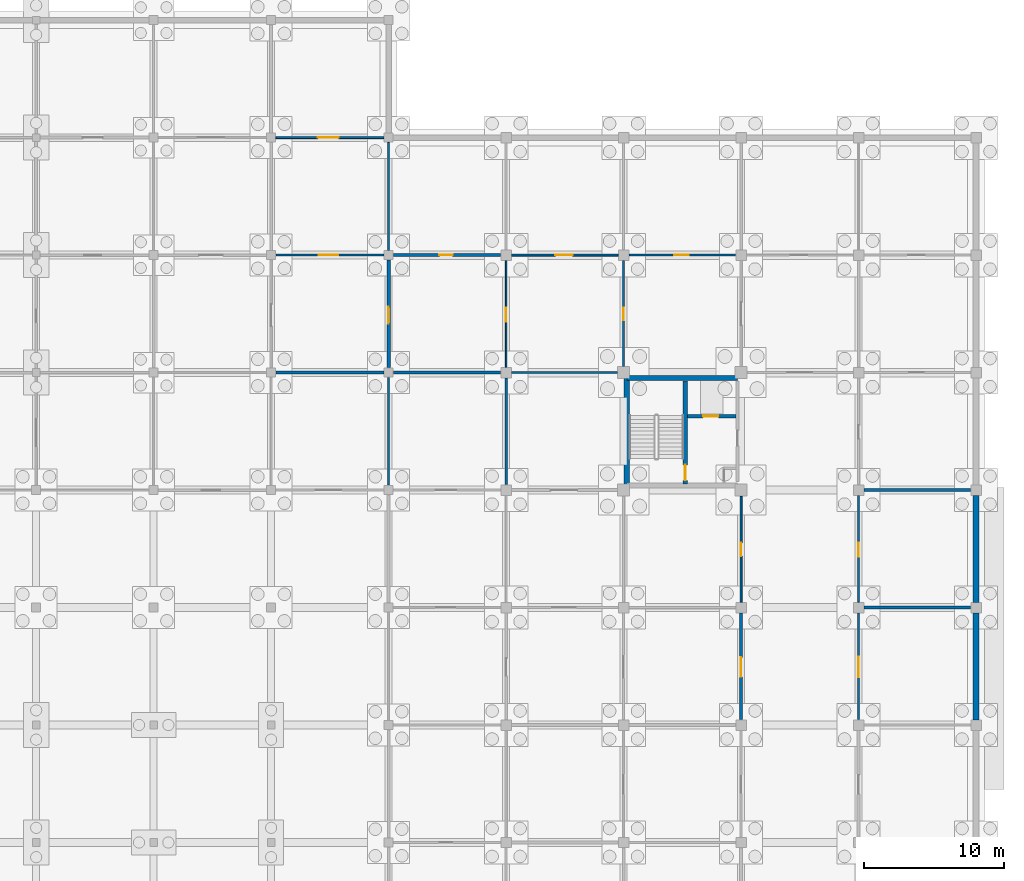
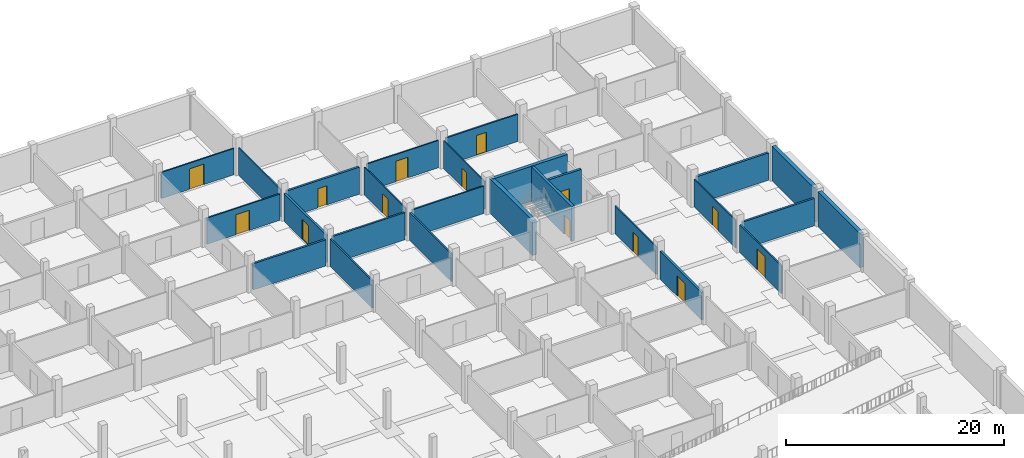
# One storey, part 36 of 43: 26 walls, 14 doors, 14 openings.
"""IFC4 building model written with IfcOpenShell, lengths in metres."""

from ifc_helpers import new_model, si_unit, direction, frame, frame_2d, origin, place, context, subcontext, project, spatial, rectangle, extrude, material, layer, layer_set, type_object, element, fill, save


model = new_model("IFC4")

# Units and contexts
model_context = context("Model", 3, precision=1e-05, world=origin(), true_north=direction((0.0, 1.0)))
body_context = subcontext(model_context, "Body", "Model", "MODEL_VIEW")
ifc_project = project(units=[si_unit("LENGTHUNIT", "METRE"), si_unit("AREAUNIT", "SQUARE_METRE"), si_unit("VOLUMEUNIT", "CUBIC_METRE"), si_unit("PLANEANGLEUNIT", "RADIAN"), si_unit("MASSUNIT", "GRAM", prefix="KILO")], contexts=[model_context])

# Site, building, storey
site_placement = place(None, origin())
site = spatial("IfcSite", under=ifc_project, at=site_placement, CompositionType="ELEMENT")
building_placement = place(site_placement, origin())
building = spatial("IfcBuilding", under=site, at=building_placement, Name="Varnapada Polytechnic", CompositionType="ELEMENT")
storey_placement = place(building_placement, frame((0.0, 0.0, -4.199951171875)))
storey = spatial("IfcBuildingStorey", under=building, at=storey_placement, Name="B1", CompositionType="ELEMENT", Elevation=-4.199951171875)

# Wall, opening, door
ifc_material_1 = material(Name="Autoclaved Aerated Concrete Block AAC-600", Category="concrete")
ifc_layer_1 = layer(ifc_material_1, 0.14990234375)
ifc_layer_set_1 = layer_set([ifc_layer_1], Name="Autoclaved Aerated Concrete Block AAC-600")
wall_type_1 = type_object("IfcWallType", Name="Interior Wall IW-02", PredefinedType="PARTITIONING", material=ifc_layer_set_1)
wall_1_placement = place(storey_placement, frame((126.344970703125, 109.199951171875, 0.0), z_axis=(0.0, 0.0, 1.0), x_axis=(1.0, 0.0, 0.0)))
wall_1 = element("IfcWall", 1, at=wall_1_placement, inside=storey, type_object=wall_type_1, Name="B1 interior partition IW-B1-15-12-H", PredefinedType="PARTITIONING", context=body_context, shape_type="SweptSolid", body=[
    extrude(rectangle(XDim=7.7099609375, YDim=0.14990234375, at=frame_2d((3.85498046875, 0.0))), origin(), (0.0, 0.0, 1.0), 2.929931640625),
])
opening_1_placement = place(wall_1_placement, frame((3.050048828125, 0.0, 0.0)))
opening_1 = element("IfcOpeningElement", 2, at=opening_1_placement, cuts=wall_1, Name="Opening D-752", PredefinedType="OPENING", context=body_context, shape_type="SweptSolid", body=[
    extrude(rectangle(XDim=1.39990234375, YDim=2.25, at=frame_2d((0.699951171875, 1.125))), frame((0.0, 0.0849609375, 0.0), z_axis=(0.0, -1.0, 0.0), x_axis=(1.0, 0.0, 0.0)), (0.0, 0.0, 1.0), 0.169921875),
])
ifc_material_2 = material(Name="Powder-Coated Aluminium 6063-T6", Category="aluminium")
door_type_1 = type_object("IfcDoorType", Name="Interior Door ID-06", OperationType="NOTDEFINED", PredefinedType="DOOR", material=ifc_material_2)
door_1_placement = place(opening_1_placement, frame((1.39990234375, 0.0, 0.0), z_axis=(0.0, 0.0, 1.0), x_axis=(-1.0, 0.0, 0.0)))
door_1 = element("IfcDoor", 3, at=door_1_placement, inside=storey, type_object=door_type_1, Name="B1 interior room door D-752", OperationType="SINGLE_SWING_LEFT", OverallHeight=2.25, OverallWidth=1.39990234375, PredefinedType="DOOR", context=body_context, shape_type="SweptSolid", body=[
    extrude(rectangle(XDim=1.39990234375, YDim=2.25, at=frame_2d((0.699951171875, 1.125))), frame((0.0, 0.02490234375, 0.0), z_axis=(0.0, -1.0, 0.0), x_axis=(1.0, 0.0, 0.0)), (0.0, 0.0, 1.0), 0.050048828125),
])
fill(opening_1, door_1)

# Wall
wall_2_placement = place(storey_placement, frame((143.195068359375, 100.800048828125, 0.0), z_axis=(0.0, 0.0, 1.0), x_axis=(1.0, 0.0, 0.0)))
element("IfcWall", 4, at=wall_2_placement, inside=storey, type_object=wall_type_1, Name="B1 interior partition IW-B1-17-11-H", PredefinedType="PARTITIONING", context=body_context, shape_type="SweptSolid", body=[
    extrude(rectangle(XDim=7.559814453125, YDim=0.14990234375, at=frame_2d((3.77978515625, 0.0))), origin(), (0.0, 0.0, 1.0), 3.050048828125),
])

# Wall, opening, door
wall_3_placement = place(storey_placement, frame((168.0, 75.9951171875, 0.0), z_axis=(0.0, 0.0, 1.0), x_axis=(0.0, 1.0, 0.0)))
wall_3 = element("IfcWall", 5, at=wall_3_placement, inside=storey, type_object=wall_type_1, Name="B1 interior partition IW-B1-19-09-V", PredefinedType="PARTITIONING", context=body_context, shape_type="SweptSolid", body=[
    extrude(rectangle(XDim=7.60986328125, YDim=0.14990234375, at=frame_2d((3.804931640625, 0.0))), origin(), (0.0, 0.0, 1.0), 3.099853515625),
])
opening_2_placement = place(wall_3_placement, frame((3.02490234375, 0.0, 0.0)))
opening_2 = element("IfcOpeningElement", 6, at=opening_2_placement, cuts=wall_3, Name="Opening D-798", PredefinedType="OPENING", context=body_context, shape_type="SweptSolid", body=[
    extrude(rectangle(XDim=1.449951171875, YDim=2.35009765625, at=frame_2d((0.72509765625, 1.175048828125))), frame((0.0, 0.0849609375, 0.0), z_axis=(0.0, -1.0, 0.0), x_axis=(1.0, 0.0, 0.0)), (0.0, 0.0, 1.0), 0.169921875),
])
ifc_material_3 = material(Name="Galvanized Steel Z275", Category="steel")
door_type_2 = type_object("IfcDoorType", Name="Interior Door ID-18", OperationType="NOTDEFINED", PredefinedType="DOOR", material=ifc_material_3)
door_2_placement = place(opening_2_placement, origin())
door_2 = element("IfcDoor", 7, at=door_2_placement, inside=storey, type_object=door_type_2, Name="B1 interior room door D-798", OperationType="SINGLE_SWING_LEFT", OverallHeight=2.35009765625, OverallWidth=1.449951171875, PredefinedType="DOOR", context=body_context, shape_type="SweptSolid", body=[
    extrude(rectangle(XDim=1.449951171875, YDim=2.35009765625, at=frame_2d((0.72509765625, 1.175048828125))), frame((0.0, 0.02490234375, 0.0), z_axis=(0.0, -1.0, 0.0), x_axis=(1.0, 0.0, 0.0)), (0.0, 0.0, 1.0), 0.050048828125),
])
fill(opening_2, door_2)

# Wall
ifc_material_4 = material(Name="Gypsum Plasterboard Acoustic Partition")
ifc_layer_2 = layer(ifc_material_4, 0.125)
ifc_layer_set_2 = layer_set([ifc_layer_2], Name="Gypsum Plasterboard Acoustic Partition")
wall_type_2 = type_object("IfcWallType", Name="Interior Wall IW-03", PredefinedType="PARTITIONING", material=ifc_layer_set_2)
wall_4_placement = place(storey_placement, frame((134.39990234375, 109.544921875, 0.0), z_axis=(0.0, 0.0, 1.0), x_axis=(0.0, 1.0, 0.0)))
element("IfcWall", 8, at=wall_4_placement, inside=storey, type_object=wall_type_2, Name="B1 interior partition IW-B1-15-13-V", PredefinedType="PARTITIONING", context=body_context, shape_type="SweptSolid", body=[
    extrude(rectangle(XDim=7.7099609375, YDim=0.125, at=frame_2d((3.85498046875, 0.0))), origin(), (0.0, 0.0, 1.0), 3.079833984375),
])

# Wall, opening, door
wall_5_placement = place(storey_placement, frame((151.199951171875, 101.2451171875, 0.0), z_axis=(0.0, 0.0, 1.0), x_axis=(0.0, 1.0, 0.0)))
wall_5 = element("IfcWall", 9, at=wall_5_placement, inside=storey, type_object=wall_type_2, Name="B1 interior partition IW-B1-17-12-V", PredefinedType="PARTITIONING", context=body_context, shape_type="SweptSolid", body=[
    extrude(rectangle(XDim=7.559814453125, YDim=0.125, at=frame_2d((3.77978515625, 0.0))), origin(), (0.0, 0.0, 1.0), 3.099853515625),
])
opening_3_placement = place(wall_5_placement, frame((3.300048828125, 0.0, 0.0)))
opening_3 = element("IfcOpeningElement", 10, at=opening_3_placement, cuts=wall_5, Name="Opening D-778", PredefinedType="OPENING", context=body_context, shape_type="SweptSolid", body=[
    extrude(rectangle(XDim=0.89990234375, YDim=2.10009765625, at=frame_2d((0.449951171875, 1.050048828125))), frame((0.0, 0.072509765625, 0.0), z_axis=(0.0, -1.0, 0.0), x_axis=(1.0, 0.0, 0.0)), (0.0, 0.0, 1.0), 0.14501953125),
])
ifc_material_5 = material(Name="Moisture-Resistant HPL Timber", Category="wood")
door_type_3 = type_object("IfcDoorType", Name="Interior Door ID-15", OperationType="NOTDEFINED", PredefinedType="DOOR", material=ifc_material_5)
door_3_placement = place(opening_3_placement, origin())
door_3 = element("IfcDoor", 11, at=door_3_placement, inside=storey, type_object=door_type_3, Name="B1 interior room door D-778", OperationType="SINGLE_SWING_LEFT", OverallHeight=2.10009765625, OverallWidth=0.89990234375, PredefinedType="DOOR", context=body_context, shape_type="SweptSolid", body=[
    extrude(rectangle(XDim=0.89990234375, YDim=2.10009765625, at=frame_2d((0.449951171875, 1.050048828125))), frame((0.0, 0.02490234375, 0.0), z_axis=(0.0, -1.0, 0.0), x_axis=(1.0, 0.0, 0.0)), (0.0, 0.0, 1.0), 0.050048828125),
])
fill(opening_3, door_3)

wall_6_placement = place(storey_placement, frame((168.0, 84.39501953125, 0.0), z_axis=(0.0, 0.0, 1.0), x_axis=(0.0, 1.0, 0.0)))
wall_6 = element("IfcWall", 12, at=wall_6_placement, inside=storey, type_object=wall_type_2, Name="B1 interior partition IW-B1-19-10-V", PredefinedType="PARTITIONING", context=body_context, shape_type="SweptSolid", body=[
    extrude(rectangle(XDim=7.60986328125, YDim=0.125, at=frame_2d((3.804931640625, 0.0))), origin(), (0.0, 0.0, 1.0), 3.099853515625),
])
opening_4_placement = place(wall_6_placement, frame((3.25, 0.0, 0.0)))
opening_4 = element("IfcOpeningElement", 13, at=opening_4_placement, cuts=wall_6, Name="Opening D-799", PredefinedType="OPENING", context=body_context, shape_type="SweptSolid", body=[
    extrude(rectangle(XDim=1.0, YDim=2.14990234375, at=frame_2d((0.5, 1.074951171875))), frame((0.0, 0.072509765625, 0.0), z_axis=(0.0, -1.0, 0.0), x_axis=(1.0, 0.0, 0.0)), (0.0, 0.0, 1.0), 0.14501953125),
])
ifc_material_6 = material(Name="Solid Teak Hardwood Timber", Category="wood")
door_type_4 = type_object("IfcDoorType", Name="Interior Door ID-02", OperationType="NOTDEFINED", PredefinedType="DOOR", material=ifc_material_6)
door_4_placement = place(opening_4_placement, origin())
door_4 = element("IfcDoor", 14, at=door_4_placement, inside=storey, type_object=door_type_4, Name="B1 interior room door D-799", OperationType="SINGLE_SWING_RIGHT", OverallHeight=2.14990234375, OverallWidth=1.0, PredefinedType="DOOR", context=body_context, shape_type="SweptSolid", body=[
    extrude(rectangle(XDim=1.0, YDim=2.14990234375, at=frame_2d((0.5, 1.074951171875))), frame((0.0, 0.02490234375, 0.0), z_axis=(0.0, -1.0, 0.0), x_axis=(1.0, 0.0, 0.0)), (0.0, 0.0, 1.0), 0.050048828125),
])
fill(opening_4, door_4)

ifc_material_7 = material(Name="Moisture-Resistant Cement Board Partition")
ifc_layer_3 = layer(ifc_material_7, 0.139892578125)
ifc_layer_set_3 = layer_set([ifc_layer_3], Name="Moisture-Resistant Cement Board Partition")
wall_type_3 = type_object("IfcWallType", Name="Interior Wall IW-04", PredefinedType="PARTITIONING", material=ifc_layer_set_3)
wall_7_placement = place(storey_placement, frame((126.344970703125, 117.60009765625, 0.0), z_axis=(0.0, 0.0, 1.0), x_axis=(1.0, 0.0, 0.0)))
wall_7 = element("IfcWall", 15, at=wall_7_placement, inside=storey, type_object=wall_type_3, Name="B1 interior partition IW-B1-15-13-H", PredefinedType="PARTITIONING", context=body_context, shape_type="SweptSolid", body=[
    extrude(rectangle(XDim=7.7099609375, YDim=0.139892578125, at=frame_2d((3.85498046875, 0.0))), origin(), (0.0, 0.0, 1.0), 2.929931640625),
])
opening_5_placement = place(wall_7_placement, frame((3.0, 0.0, 0.0)))
opening_5 = element("IfcOpeningElement", 16, at=opening_5_placement, cuts=wall_7, Name="Opening D-753", PredefinedType="OPENING", context=body_context, shape_type="SweptSolid", body=[
    extrude(rectangle(XDim=1.5, YDim=2.300048828125, at=frame_2d((0.75, 1.14990234375))), frame((0.0, 0.079833984375, 0.0), z_axis=(0.0, -1.0, 0.0), x_axis=(1.0, 0.0, 0.0)), (0.0, 0.0, 1.0), 0.159912109375),
])
door_type_5 = type_object("IfcDoorType", Name="Interior Door ID-07", OperationType="NOTDEFINED", PredefinedType="DOOR", material=ifc_material_3)
door_5_placement = place(opening_5_placement, origin())
door_5 = element("IfcDoor", 17, at=door_5_placement, inside=storey, type_object=door_type_5, Name="B1 interior room door D-753", OperationType="SINGLE_SWING_RIGHT", OverallHeight=2.300048828125, OverallWidth=1.5, PredefinedType="DOOR", context=body_context, shape_type="SweptSolid", body=[
    extrude(rectangle(XDim=1.5, YDim=2.300048828125, at=frame_2d((0.75, 1.14990234375))), frame((0.0, 0.02490234375, 0.0), z_axis=(0.0, -1.0, 0.0), x_axis=(1.0, 0.0, 0.0)), (0.0, 0.0, 1.0), 0.050048828125),
])
fill(opening_5, door_5)

wall_8_placement = place(storey_placement, frame((143.195068359375, 109.199951171875, 0.0), z_axis=(0.0, 0.0, 1.0), x_axis=(1.0, 0.0, 0.0)))
wall_8 = element("IfcWall", 18, at=wall_8_placement, inside=storey, type_object=wall_type_3, Name="B1 interior partition IW-B1-17-12-H", PredefinedType="PARTITIONING", context=body_context, shape_type="SweptSolid", body=[
    extrude(rectangle(XDim=7.60986328125, YDim=0.139892578125, at=frame_2d((3.804931640625, 0.0))), origin(), (0.0, 0.0, 1.0), 3.050048828125),
])
opening_6_placement = place(wall_8_placement, frame((3.125, 0.0, 0.0)))
opening_6 = element("IfcOpeningElement", 19, at=opening_6_placement, cuts=wall_8, Name="Opening D-779", PredefinedType="OPENING", context=body_context, shape_type="SweptSolid", body=[
    extrude(rectangle(XDim=1.25, YDim=2.300048828125, at=frame_2d((0.625, 1.14990234375))), frame((0.0, 0.079833984375, 0.0), z_axis=(0.0, -1.0, 0.0), x_axis=(1.0, 0.0, 0.0)), (0.0, 0.0, 1.0), 0.159912109375),
])
door_type_6 = type_object("IfcDoorType", Name="Interior Door ID-16", OperationType="NOTDEFINED", PredefinedType="DOOR", material=ifc_material_6)
door_6_placement = place(opening_6_placement, frame((1.25, 0.0, 0.0), z_axis=(0.0, 0.0, 1.0), x_axis=(-1.0, 0.0, 0.0)))
door_6 = element("IfcDoor", 20, at=door_6_placement, inside=storey, type_object=door_type_6, Name="B1 interior room door D-779", OperationType="SINGLE_SWING_RIGHT", OverallHeight=2.300048828125, OverallWidth=1.25, PredefinedType="DOOR", context=body_context, shape_type="SweptSolid", body=[
    extrude(rectangle(XDim=1.25, YDim=2.300048828125, at=frame_2d((0.625, 1.14990234375))), frame((0.0, 0.02490234375, 0.0), z_axis=(0.0, -1.0, 0.0), x_axis=(1.0, 0.0, 0.0)), (0.0, 0.0, 1.0), 0.050048828125),
])
fill(opening_6, door_6)

wall_9_placement = place(storey_placement, frame((159.60009765625, 84.39501953125, 0.0), z_axis=(0.0, 0.0, 1.0), x_axis=(0.0, 1.0, 0.0)))
wall_9 = element("IfcWall", 21, at=wall_9_placement, inside=storey, type_object=wall_type_3, Name="B1 interior partition IW-B1-18-10-V", PredefinedType="PARTITIONING", context=body_context, shape_type="SweptSolid", body=[
    extrude(rectangle(XDim=7.56005859375, YDim=0.139892578125, at=frame_2d((3.780029296875, 0.0))), origin(), (0.0, 0.0, 1.0), 3.099853515625),
])
opening_7_placement = place(wall_9_placement, frame((3.27490234375, 0.0, 0.0)))
opening_7 = element("IfcOpeningElement", 22, at=opening_7_placement, cuts=wall_9, Name="Opening D-787", PredefinedType="OPENING", context=body_context, shape_type="SweptSolid", body=[
    extrude(rectangle(XDim=0.949951171875, YDim=2.14990234375, at=frame_2d((0.47509765625, 1.074951171875))), frame((0.0, 0.079833984375, 0.0), z_axis=(0.0, -1.0, 0.0), x_axis=(1.0, 0.0, 0.0)), (0.0, 0.0, 1.0), 0.159912109375),
])
door_type_7 = type_object("IfcDoorType", Name="Interior Door ID-03", OperationType="NOTDEFINED", PredefinedType="DOOR", material=ifc_material_5)
door_7_placement = place(opening_7_placement, origin())
door_7 = element("IfcDoor", 23, at=door_7_placement, inside=storey, type_object=door_type_7, Name="B1 interior room door D-787", OperationType="SINGLE_SWING_RIGHT", OverallHeight=2.14990234375, OverallWidth=0.949951171875, PredefinedType="DOOR", context=body_context, shape_type="SweptSolid", body=[
    extrude(rectangle(XDim=0.949951171875, YDim=2.14990234375, at=frame_2d((0.47509765625, 1.074951171875))), frame((0.0, 0.02490234375, 0.0), z_axis=(0.0, -1.0, 0.0), x_axis=(1.0, 0.0, 0.0)), (0.0, 0.0, 1.0), 0.050048828125),
])
fill(opening_7, door_7)

ifc_material_8 = material(Name="Cross-laminated timber CLT C24", Category="wood")
ifc_layer_4 = layer(ifc_material_8, 0.159912109375)
ifc_layer_set_4 = layer_set([ifc_layer_4], Name="Cross-laminated timber CLT C24")
wall_type_4 = type_object("IfcWallType", Name="Interior Wall IW-05", PredefinedType="PARTITIONING", material=ifc_layer_set_4)
wall_10_placement = place(storey_placement, frame((151.594970703125, 109.199951171875, 0.0), z_axis=(0.0, 0.0, 1.0), x_axis=(1.0, 0.0, 0.0)))
wall_10 = element("IfcWall", 24, at=wall_10_placement, inside=storey, type_object=wall_type_4, Name="B1 interior partition IW-B1-18-12-H", PredefinedType="PARTITIONING", context=body_context, shape_type="SweptSolid", body=[
    extrude(rectangle(XDim=7.610107421875, YDim=0.159912109375, at=frame_2d((3.80517578125, 0.0))), origin(), (0.0, 0.0, 1.0), 3.050048828125),
])
opening_8_placement = place(wall_10_placement, frame((3.22509765625, 0.0, 0.0)))
opening_8 = element("IfcOpeningElement", 25, at=opening_8_placement, cuts=wall_10, Name="Opening D-789", PredefinedType="OPENING", context=body_context, shape_type="SweptSolid", body=[
    extrude(rectangle(XDim=1.050048828125, YDim=2.199951171875, at=frame_2d((0.52490234375, 1.10009765625))), frame((0.0, 0.08984375, 0.0), z_axis=(0.0, -1.0, 0.0), x_axis=(1.0, 0.0, 0.0)), (0.0, 0.0, 1.0), 0.179931640625),
])
door_type_8 = type_object("IfcDoorType", Name="Interior Door ID-09", OperationType="NOTDEFINED", PredefinedType="DOOR", material=ifc_material_6)
door_8_placement = place(opening_8_placement, origin())
door_8 = element("IfcDoor", 26, at=door_8_placement, inside=storey, type_object=door_type_8, Name="B1 interior room door D-789", OperationType="SINGLE_SWING_RIGHT", OverallHeight=2.199951171875, OverallWidth=1.050048828125, PredefinedType="DOOR", context=body_context, shape_type="SweptSolid", body=[
    extrude(rectangle(XDim=1.050048828125, YDim=2.199951171875, at=frame_2d((0.52490234375, 1.10009765625))), frame((0.0, 0.02490234375, 0.0), z_axis=(0.0, -1.0, 0.0), x_axis=(1.0, 0.0, 0.0)), (0.0, 0.0, 1.0), 0.050048828125),
])
fill(opening_8, door_8)

# Walls
ifc_material_9 = material(Name="Double-Layer Fireboard Workshop Wall")
ifc_layer_5 = layer(ifc_material_9, 0.169921875)
ifc_layer_set_5 = layer_set([ifc_layer_5], Name="Double-Layer Fireboard Workshop Wall")
wall_type_5 = type_object("IfcWallType", Name="Interior Wall IW-10", PredefinedType="PARTITIONING", material=ifc_layer_set_5)
wall_11_placement = place(storey_placement, frame((142.800048828125, 92.794921875, 0.0), z_axis=(0.0, 0.0, 1.0), x_axis=(0.0, 1.0, 0.0)))
element("IfcWall", 27, at=wall_11_placement, inside=storey, type_object=wall_type_5, Name="B1 interior partition IW-B1-16-11-V", PredefinedType="PARTITIONING", context=body_context, shape_type="SweptSolid", body=[
    extrude(rectangle(XDim=7.610107421875, YDim=0.169921875, at=frame_2d((3.80517578125, 0.0))), origin(), (0.0, 0.0, 1.0), 3.099853515625),
])
ifc_material_10 = material(Name="Insulated Masonry Plant Room Wall", Category="masonry")
ifc_layer_6 = layer(ifc_material_10, 0.18994140625)
ifc_layer_set_6 = layer_set([ifc_layer_6], Name="Insulated Masonry Plant Room Wall")
wall_type_6 = type_object("IfcWallType", Name="Interior Wall IW-11", PredefinedType="PARTITIONING", material=ifc_layer_set_6)
wall_12_placement = place(storey_placement, frame((134.7451171875, 100.800048828125, 0.0), z_axis=(0.0, 0.0, 1.0), x_axis=(1.0, 0.0, 0.0)))
element("IfcWall", 28, at=wall_12_placement, inside=storey, type_object=wall_type_6, Name="B1 interior partition IW-B1-16-11-H", PredefinedType="PARTITIONING", context=body_context, shape_type="SweptSolid", body=[
    extrude(rectangle(XDim=7.659912109375, YDim=0.18994140625, at=frame_2d((3.830078125, 0.0))), origin(), (0.0, 0.0, 1.0), 3.030029296875),
])

# Wall, opening, door
ifc_material_11 = material(Name="Timber-Stud Studio Critique Partition", Category="wood")
ifc_layer_7 = layer(ifc_material_11, 0.114990234375)
ifc_layer_set_7 = layer_set([ifc_layer_7], Name="Timber-Stud Studio Critique Partition")
wall_type_7 = type_object("IfcWallType", Name="Interior Wall IW-12", PredefinedType="PARTITIONING", material=ifc_layer_set_7)
wall_13_placement = place(storey_placement, frame((142.800048828125, 101.195068359375, 0.0), z_axis=(0.0, 0.0, 1.0), x_axis=(0.0, 1.0, 0.0)))
wall_13 = element("IfcWall", 29, at=wall_13_placement, inside=storey, type_object=wall_type_7, Name="B1 interior partition IW-B1-16-12-V", PredefinedType="PARTITIONING", context=body_context, shape_type="SweptSolid", body=[
    extrude(rectangle(XDim=7.60986328125, YDim=0.114990234375, at=frame_2d((3.804931640625, 0.0))), origin(), (0.0, 0.0, 1.0), 3.099853515625),
])
opening_9_placement = place(wall_13_placement, frame((3.25, 0.0, 0.0)))
opening_9 = element("IfcOpeningElement", 30, at=opening_9_placement, cuts=wall_13, Name="Opening D-765", PredefinedType="OPENING", context=body_context, shape_type="SweptSolid", body=[
    extrude(rectangle(XDim=1.0, YDim=2.14990234375, at=frame_2d((0.5, 1.074951171875))), frame((0.0, 0.0673828125, 0.0), z_axis=(0.0, -1.0, 0.0), x_axis=(1.0, 0.0, 0.0)), (0.0, 0.0, 1.0), 0.135009765625),
])
door_9_placement = place(opening_9_placement, origin())
door_9 = element("IfcDoor", 31, at=door_9_placement, inside=storey, type_object=door_type_4, Name="B1 interior room door D-765", OperationType="SINGLE_SWING_RIGHT", OverallHeight=2.14990234375, OverallWidth=1.0, PredefinedType="DOOR", context=body_context, shape_type="SweptSolid", body=[
    extrude(rectangle(XDim=1.0, YDim=2.14990234375, at=frame_2d((0.5, 1.074951171875))), frame((0.0, 0.02490234375, 0.0), z_axis=(0.0, -1.0, 0.0), x_axis=(1.0, 0.0, 0.0)), (0.0, 0.0, 1.0), 0.050048828125),
])
fill(opening_9, door_9)

ifc_material_12 = material(Name="Heavy Acoustic Auditorium Baffle Wall")
ifc_layer_8 = layer(ifc_material_12, 0.219970703125)
ifc_layer_set_8 = layer_set([ifc_layer_8], Name="Heavy Acoustic Auditorium Baffle Wall")
wall_type_8 = type_object("IfcWallType", Name="Interior Wall IW-13", PredefinedType="PARTITIONING", material=ifc_layer_set_8)
wall_14_placement = place(storey_placement, frame((134.7451171875, 109.199951171875, 0.0), z_axis=(0.0, 0.0, 1.0), x_axis=(1.0, 0.0, 0.0)))
wall_14 = element("IfcWall", 32, at=wall_14_placement, inside=storey, type_object=wall_type_8, Name="B1 interior partition IW-B1-16-12-H", PredefinedType="PARTITIONING", context=body_context, shape_type="SweptSolid", body=[
    extrude(rectangle(XDim=7.659912109375, YDim=0.219970703125, at=frame_2d((3.830078125, 0.0))), origin(), (0.0, 0.0, 1.0), 3.030029296875),
])
opening_10_placement = place(wall_14_placement, frame((3.27490234375, 0.0, 0.0)))
opening_10 = element("IfcOpeningElement", 33, at=opening_10_placement, cuts=wall_14, Name="Opening D-766", PredefinedType="OPENING", context=body_context, shape_type="SweptSolid", body=[
    extrude(rectangle(XDim=0.949951171875, YDim=2.14990234375, at=frame_2d((0.47509765625, 1.074951171875))), frame((0.0, 0.119873046875, 0.0), z_axis=(0.0, -1.0, 0.0), x_axis=(1.0, 0.0, 0.0)), (0.0, 0.0, 1.0), 0.239990234375),
])
door_10_placement = place(opening_10_placement, origin())
door_10 = element("IfcDoor", 34, at=door_10_placement, inside=storey, type_object=door_type_7, Name="B1 interior room door D-766", OperationType="SINGLE_SWING_LEFT", OverallHeight=2.14990234375, OverallWidth=0.949951171875, PredefinedType="DOOR", context=body_context, shape_type="SweptSolid", body=[
    extrude(rectangle(XDim=0.949951171875, YDim=2.14990234375, at=frame_2d((0.47509765625, 1.074951171875))), frame((0.0, 0.02490234375, 0.0), z_axis=(0.0, -1.0, 0.0), x_axis=(1.0, 0.0, 0.0)), (0.0, 0.0, 1.0), 0.050048828125),
])
fill(opening_10, door_10)

# Walls
ifc_material_13 = material(Name="Perforated Timber-Lined Seminar Wall", Category="wood")
ifc_layer_9 = layer(ifc_material_13, 0.155029296875)
ifc_layer_set_9 = layer_set([ifc_layer_9], Name="Perforated Timber-Lined Seminar Wall")
wall_type_9 = type_object("IfcWallType", Name="Interior Wall IW-15", PredefinedType="PARTITIONING", material=ifc_layer_set_9)
wall_15_placement = place(storey_placement, frame((134.39990234375, 92.7451171875, 0.0), z_axis=(0.0, 0.0, 1.0), x_axis=(0.0, 1.0, 0.0)))
element("IfcWall", 35, at=wall_15_placement, inside=storey, type_object=wall_type_9, Name="B1 interior partition IW-B1-15-11-V", PredefinedType="PARTITIONING", context=body_context, shape_type="SweptSolid", body=[
    extrude(rectangle(XDim=7.7099609375, YDim=0.155029296875, at=frame_2d((3.85498046875, 0.0))), origin(), (0.0, 0.0, 1.0), 3.079833984375),
])
ifc_material_14 = material(Name="Heavy Masonry Workshop Partition", Category="masonry")
ifc_layer_10 = layer(ifc_material_14, 0.2099609375)
ifc_layer_set_10 = layer_set([ifc_layer_10], Name="Heavy Masonry Workshop Partition")
wall_type_10 = type_object("IfcWallType", Name="Interior Wall IW-16", PredefinedType="PARTITIONING", material=ifc_layer_set_10)
wall_16_placement = place(storey_placement, frame((126.344970703125, 100.800048828125, 0.0), z_axis=(0.0, 0.0, 1.0), x_axis=(1.0, 0.0, 0.0)))
element("IfcWall", 36, at=wall_16_placement, inside=storey, type_object=wall_type_10, Name="B1 interior partition IW-B1-15-11-H", PredefinedType="PARTITIONING", context=body_context, shape_type="SweptSolid", body=[
    extrude(rectangle(XDim=7.7099609375, YDim=0.2099609375, at=frame_2d((3.85498046875, 0.0))), origin(), (0.0, 0.0, 1.0), 2.929931640625),
])
wall_17_placement = place(storey_placement, frame((168.39501953125, 84.0, 0.0), z_axis=(0.0, 0.0, 1.0), x_axis=(1.0, 0.0, 0.0)))
element("IfcWall", 37, at=wall_17_placement, inside=storey, type_object=wall_type_10, Name="B1 interior partition IW-B1-20-09-H", PredefinedType="PARTITIONING", context=body_context, shape_type="SweptSolid", body=[
    extrude(rectangle(XDim=7.60986328125, YDim=0.2099609375, at=frame_2d((3.804931640625, 0.0))), origin(), (0.0, 0.0, 1.0), 3.050048828125),
])

# Wall, opening, door
ifc_material_15 = material(Name="Double-Leaf Acoustic Lecture Wall")
ifc_layer_11 = layer(ifc_material_15, 0.235107421875)
ifc_layer_set_11 = layer_set([ifc_layer_11], Name="Double-Leaf Acoustic Lecture Wall")
wall_type_11 = type_object("IfcWallType", Name="Interior Wall IW-17", PredefinedType="PARTITIONING", material=ifc_layer_set_11)
wall_18_placement = place(storey_placement, frame((134.39990234375, 101.14501953125, 0.0), z_axis=(0.0, 0.0, 1.0), x_axis=(0.0, 1.0, 0.0)))
wall_18 = element("IfcWall", 38, at=wall_18_placement, inside=storey, type_object=wall_type_11, Name="B1 interior partition IW-B1-15-12-V", PredefinedType="PARTITIONING", context=body_context, shape_type="SweptSolid", body=[
    extrude(rectangle(XDim=7.7099609375, YDim=0.235107421875, at=frame_2d((3.85498046875, 0.0))), origin(), (0.0, 0.0, 1.0), 3.079833984375),
])
opening_11_placement = place(wall_18_placement, frame((3.14990234375, 0.0, 0.0)))
opening_11 = element("IfcOpeningElement", 39, at=opening_11_placement, cuts=wall_18, Name="Opening D-751", PredefinedType="OPENING", context=body_context, shape_type="SweptSolid", body=[
    extrude(rectangle(XDim=1.199951171875, YDim=2.199951171875, at=frame_2d((0.60009765625, 1.10009765625))), frame((0.0, 0.12744140625, 0.0), z_axis=(0.0, -1.0, 0.0), x_axis=(1.0, 0.0, 0.0)), (0.0, 0.0, 1.0), 0.255126953125),
])
door_type_9 = type_object("IfcDoorType", Name="Interior Door ID-05", OperationType="NOTDEFINED", PredefinedType="DOOR", material=ifc_material_6)
door_11_placement = place(opening_11_placement, origin())
door_11 = element("IfcDoor", 40, at=door_11_placement, inside=storey, type_object=door_type_9, Name="B1 interior room door D-751", OperationType="SINGLE_SWING_RIGHT", OverallHeight=2.199951171875, OverallWidth=1.199951171875, PredefinedType="DOOR", context=body_context, shape_type="SweptSolid", body=[
    extrude(rectangle(XDim=1.199951171875, YDim=2.199951171875, at=frame_2d((0.60009765625, 1.10009765625))), frame((0.0, 0.02490234375, 0.0), z_axis=(0.0, -1.0, 0.0), x_axis=(1.0, 0.0, 0.0)), (0.0, 0.0, 1.0), 0.050048828125),
])
fill(opening_11, door_11)

wall_19_placement = place(storey_placement, frame((159.60009765625, 75.9951171875, 0.0), z_axis=(0.0, 0.0, 1.0), x_axis=(0.0, 1.0, 0.0)))
wall_19 = element("IfcWall", 41, at=wall_19_placement, inside=storey, type_object=wall_type_11, Name="B1 interior partition IW-B1-18-09-V", PredefinedType="PARTITIONING", context=body_context, shape_type="SweptSolid", body=[
    extrude(rectangle(XDim=7.60986328125, YDim=0.235107421875, at=frame_2d((3.804931640625, 0.0))), origin(), (0.0, 0.0, 1.0), 3.099853515625),
])
opening_12_placement = place(wall_19_placement, frame((3.050048828125, 0.0, 0.0)))
opening_12 = element("IfcOpeningElement", 42, at=opening_12_placement, cuts=wall_19, Name="Opening D-786", PredefinedType="OPENING", context=body_context, shape_type="SweptSolid", body=[
    extrude(rectangle(XDim=1.39990234375, YDim=2.25, at=frame_2d((0.699951171875, 1.125))), frame((0.0, 0.12744140625, 0.0), z_axis=(0.0, -1.0, 0.0), x_axis=(1.0, 0.0, 0.0)), (0.0, 0.0, 1.0), 0.255126953125),
])
door_12_placement = place(opening_12_placement, origin())
door_12 = element("IfcDoor", 43, at=door_12_placement, inside=storey, type_object=door_type_1, Name="B1 interior room door D-786", OperationType="SINGLE_SWING_LEFT", OverallHeight=2.25, OverallWidth=1.39990234375, PredefinedType="DOOR", context=body_context, shape_type="SweptSolid", body=[
    extrude(rectangle(XDim=1.39990234375, YDim=2.25, at=frame_2d((0.699951171875, 1.125))), frame((0.0, 0.02490234375, 0.0), z_axis=(0.0, -1.0, 0.0), x_axis=(1.0, 0.0, 0.0)), (0.0, 0.0, 1.0), 0.050048828125),
])
fill(opening_12, door_12)

# Walls
wall_20_placement = place(storey_placement, frame((168.39501953125, 92.39990234375, 0.0), z_axis=(0.0, 0.0, 1.0), x_axis=(1.0, 0.0, 0.0)))
element("IfcWall", 44, at=wall_20_placement, inside=storey, type_object=wall_type_11, Name="B1 interior partition IW-B1-20-10-H", PredefinedType="PARTITIONING", context=body_context, shape_type="SweptSolid", body=[
    extrude(rectangle(XDim=7.60986328125, YDim=0.235107421875, at=frame_2d((3.804931640625, 0.0))), origin(), (0.0, 0.0, 1.0), 3.050048828125),
])
ifc_material_16 = material(Name="Concrete C40/50", Category="concrete")
ifc_layer_12 = layer(ifc_material_16, 0.35009765625)
ifc_layer_set_12 = layer_set([ifc_layer_12], Name="Concrete C40/50")
wall_type_12 = type_object("IfcWallType", Name="Interior Wall SW-01", PredefinedType="SHEAR", material=ifc_layer_set_12)
wall_21_placement = place(storey_placement, frame((151.43994140625, 100.419921875, 0.0), z_axis=(0.0, 0.0, 1.0), x_axis=(1.0, 0.0, 0.0)))
element("IfcWall", 45, at=wall_21_placement, inside=storey, type_object=wall_type_12, Name="B1 C5 core north shear wall", PredefinedType="SHEAR", context=body_context, shape_type="SweptSolid", body=[
    extrude(rectangle(XDim=7.900146484375, YDim=0.35009765625, at=frame_2d((3.9501953125, 0.0))), origin(), (0.0, 0.0, 1.0), 3.89990234375),
])

# Wall, opening, door
ifc_layer_13 = layer(ifc_material_16, 0.300048828125)
ifc_layer_set_13 = layer_set([ifc_layer_13], Name="Concrete C40/50")
wall_type_13 = type_object("IfcWallType", Name="Interior Wall SW-02", PredefinedType="SHEAR", material=ifc_layer_set_13)
wall_22_placement = place(storey_placement, frame((155.610107421875, 92.820068359375, 0.0), z_axis=(0.0, 0.0, 1.0), x_axis=(0.0, 1.0, 0.0)))
wall_22 = element("IfcWall", 46, at=wall_22_placement, inside=storey, type_object=wall_type_13, Name="B1 C5 stair-lobby dividing shear wall", PredefinedType="SHEAR", context=body_context, shape_type="SweptSolid", body=[
    extrude(rectangle(XDim=7.3798828125, YDim=0.300048828125, at=frame_2d((3.68994140625, 0.0))), origin(), (0.0, 0.0, 1.0), 3.89990234375),
])
opening_13_placement = place(wall_22_placement, frame((0.280029296875, 0.0, 0.0)))
opening_13 = element("IfcOpeningElement", 47, at=opening_13_placement, cuts=wall_22, Name="Opening D-612", PredefinedType="OPENING", context=body_context, shape_type="SweptSolid", body=[
    extrude(rectangle(XDim=1.10009765625, YDim=2.14990234375, at=frame_2d((0.550048828125, 1.074951171875))), frame((0.0, 0.159912109375, 0.0), z_axis=(0.0, -1.0, 0.0), x_axis=(1.0, 0.0, 0.0)), (0.0, 0.0, 1.0), 0.320068359375),
])
door_type_10 = type_object("IfcDoorType", Name="Interior Door ID-01", OperationType="NOTDEFINED", PredefinedType="DOOR", material=ifc_material_3)
door_13_placement = place(opening_13_placement, origin())
door_13 = element("IfcDoor", 48, at=door_13_placement, inside=storey, type_object=door_type_10, Name="B1 C5 exit stair door D-612", OperationType="SINGLE_SWING_LEFT", OverallHeight=2.14990234375, OverallWidth=1.10009765625, PredefinedType="DOOR", context=body_context, shape_type="SweptSolid", body=[
    extrude(rectangle(XDim=1.10009765625, YDim=2.14990234375, at=frame_2d((0.550048828125, 1.074951171875))), frame((0.0, 0.02490234375, 0.0), z_axis=(0.0, -1.0, 0.0), x_axis=(1.0, 0.0, 0.0)), (0.0, 0.0, 1.0), 0.050048828125),
])
fill(opening_13, door_13)

# Wall
ifc_layer_14 = layer(ifc_material_16, 0.39990234375)
ifc_layer_set_14 = layer_set([ifc_layer_14], Name="Concrete C40/50")
wall_type_14 = type_object("IfcWallType", Name="Interior Wall SW-03", PredefinedType="SHEAR", material=ifc_layer_set_14)
wall_23_placement = place(storey_placement, frame((151.43994140625, 92.64990234375, 0.0), z_axis=(0.0, 0.0, 1.0), x_axis=(0.0, 1.0, 0.0)))
element("IfcWall", 49, at=wall_23_placement, inside=storey, type_object=wall_type_14, Name="B1 C5 stair west shear wall", PredefinedType="SHEAR", context=body_context, shape_type="SweptSolid", body=[
    extrude(rectangle(XDim=7.940185546875, YDim=0.39990234375, at=frame_2d((3.97021484375, 0.0))), origin(), (0.0, 0.0, 1.0), 3.89990234375),
])

# Wall, opening, door
ifc_layer_15 = layer(ifc_material_16, 0.25)
ifc_layer_set_15 = layer_set([ifc_layer_15], Name="Concrete C40/50")
wall_type_15 = type_object("IfcWallType", Name="Interior Wall SW-05", PredefinedType="SHEAR", material=ifc_layer_set_15)
wall_24_placement = place(storey_placement, frame((155.780029296875, 97.679931640625, 0.0), z_axis=(0.0, 0.0, 1.0), x_axis=(1.0, 0.0, 0.0)))
wall_24 = element("IfcWall", 50, at=wall_24_placement, inside=storey, type_object=wall_type_15, Name="B1 C5 lift shaft front wall", PredefinedType="SHEAR", context=body_context, shape_type="SweptSolid", body=[
    extrude(rectangle(XDim=3.4599609375, YDim=0.25, at=frame_2d((1.72998046875, 0.0))), origin(), (0.0, 0.0, 1.0), 3.89990234375),
])
opening_14_placement = place(wall_24_placement, frame((1.10009765625, 0.0, 0.0)))
opening_14 = element("IfcOpeningElement", 51, at=opening_14_placement, cuts=wall_24, Name="Opening LD-006", PredefinedType="OPENING", context=body_context, shape_type="SweptSolid", body=[
    extrude(rectangle(XDim=1.10009765625, YDim=2.14990234375, at=frame_2d((0.550048828125, 1.074951171875))), frame((0.0, 0.135009765625, 0.0), z_axis=(0.0, -1.0, 0.0), x_axis=(1.0, 0.0, 0.0)), (0.0, 0.0, 1.0), 0.27001953125),
])
ifc_material_17 = material(Name="Brushed Stainless Steel 316", Category="steel")
door_type_11 = type_object("IfcDoorType", Name="Interior Door LD-01", OperationType="NOTDEFINED", PredefinedType="DOOR", material=ifc_material_17)
door_14_placement = place(opening_14_placement, origin())
door_14 = element("IfcDoor", 52, at=door_14_placement, inside=storey, type_object=door_type_11, Name="B1 LFT-05 sliding lift landing door LD-006", OperationType="DOUBLE_DOOR_SLIDING", OverallHeight=2.14990234375, OverallWidth=1.10009765625, PredefinedType="DOOR", context=body_context, shape_type="SweptSolid", body=[
    extrude(rectangle(XDim=1.10009765625, YDim=2.14990234375, at=frame_2d((0.550048828125, 1.074951171875))), frame((0.0, 0.02490234375, 0.0), z_axis=(0.0, -1.0, 0.0), x_axis=(1.0, 0.0, 0.0)), (0.0, 0.0, 1.0), 0.050048828125),
])
fill(opening_14, door_14)

# Walls
ifc_layer_16 = layer(ifc_material_16, 0.39990234375)
ifc_layer_set_16 = layer_set([ifc_layer_16], Name="Concrete C40/50")
wall_type_16 = type_object("IfcWallType", Name="Wall RW-01", PredefinedType="STANDARD", material=ifc_layer_set_16)
for number, where, z_axis, x_axis, name in (
    (53, (176.39990234375, 83.625, 0.0), (0.0, 0.0, 1.0), (0.0, -1.0, 0.0), "B1 perimeter retaining wall 73"),
    (54, (176.39990234375, 92.02490234375, 0.0), (0.0, 0.0, 1.0), (0.0, -1.0, 0.0), "B1 perimeter retaining wall 74"),
):
    element("IfcWall", number, at=place(storey_placement, frame(where, z_axis=z_axis, x_axis=x_axis)), inside=storey, type_object=wall_type_16, Name=name, PredefinedType="STANDARD", context=body_context, shape_type="SweptSolid", body=[
        extrude(rectangle(XDim=7.64990234375, YDim=0.39990234375, at=frame_2d((3.824951171875, 0.0))), origin(), (0.0, 0.0, 1.0), 3.8798828125),
    ])

save(model, "model.ifc")
